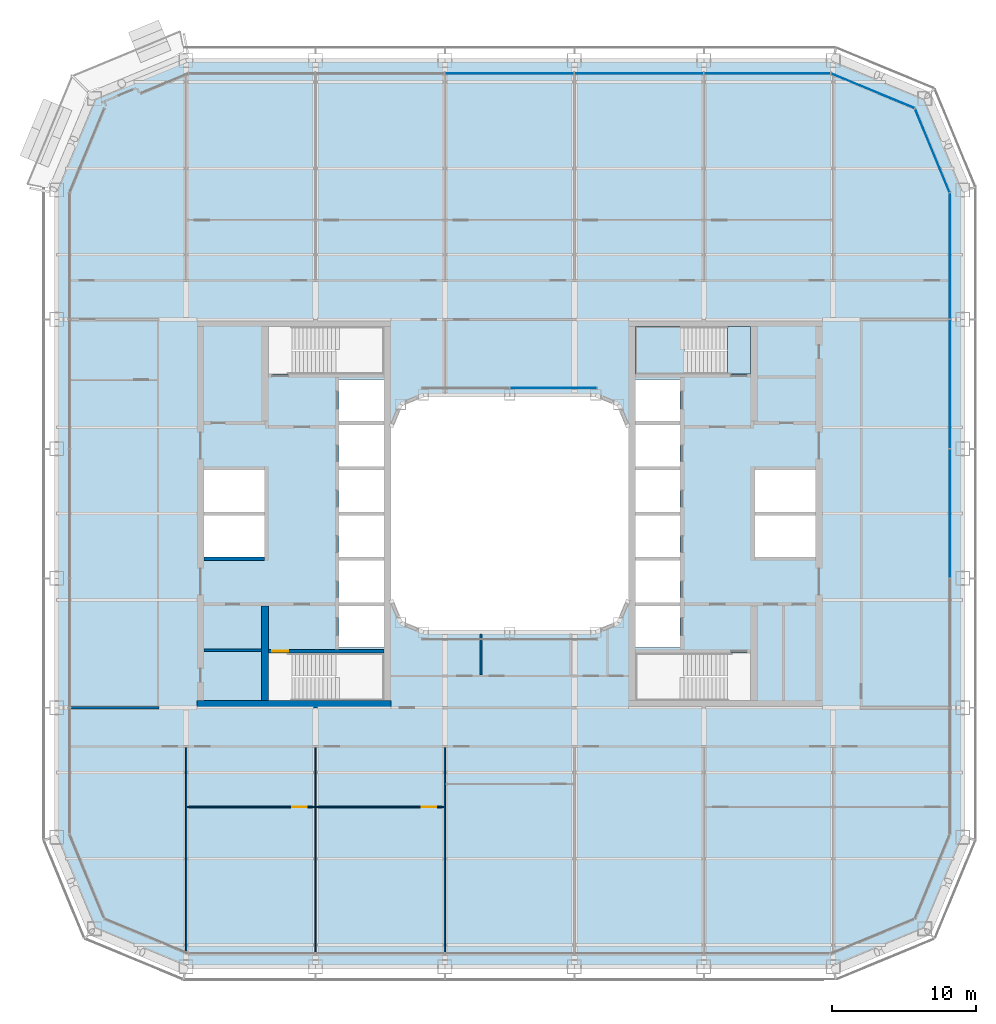
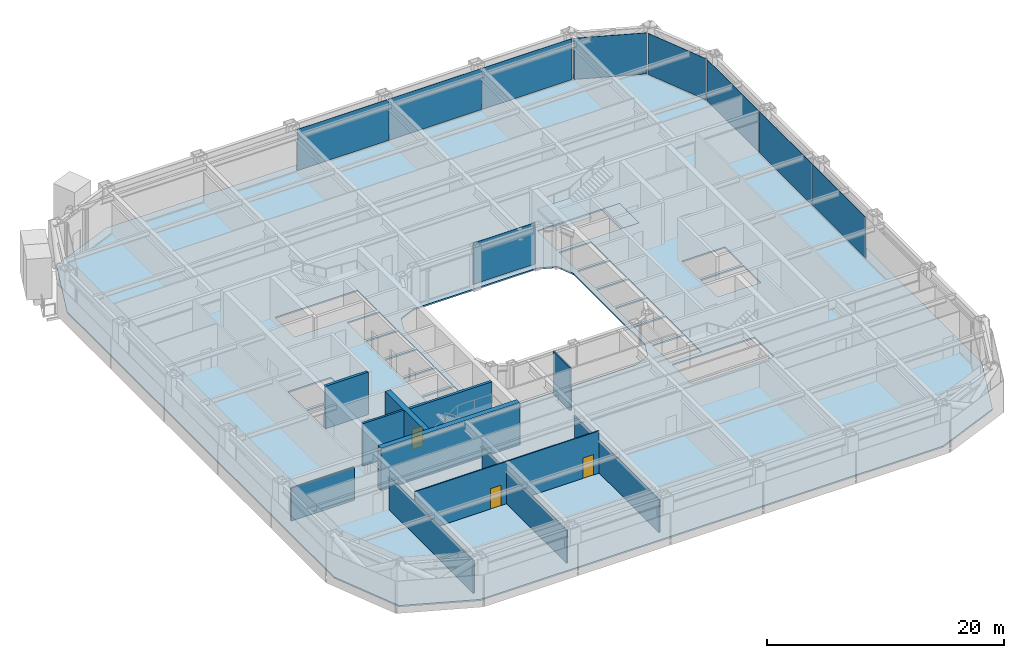
# One storey, part 12 of 29: 12 walls, 9 plates, 3 doors, 3 slabs, 3 openings, 6 elements without a shape of their own.
"""IFC4 building model written with IfcOpenShell, lengths in metres."""

import ifcopenshell
import ifcopenshell.guid

model = None  # the IFC model being written
_history = None  # IfcOwnerHistory: only IFC2X3 demands one
_inside = {}  # id of a spatial element -> (the spatial element, [elements in it])
_under = {}  # id of a project, library or spatial element -> (it, [spatial elements below it])
_declared = {}  # id of a project -> (the project, [libraries it declares])
_typed = {}  # id of a type object -> (the type object, [elements of that type])
_made_of = {}  # id of a material, layer set ... -> (it, [elements and type objects made of it])


def new_model(schema):
    """Start an empty IFC model of exactly this schema.

    Asked for "IFC4X3", IfcOpenShell would pick the latest addendum, in which some entities
    have other attributes; the version numbers below select the first issue.
    IFC2X3 requires an IfcOwnerHistory on every rooted entity: one is made here for all.
    """
    global model, _history
    if schema == "IFC4X3":
        model = ifcopenshell.file(schema_version=(4, 3, 0, 0))
    else:
        model = ifcopenshell.file(schema=schema)
    _inside.clear()
    _under.clear()
    _declared.clear()
    _typed.clear()
    _made_of.clear()
    _history = None
    if model.schema == "IFC2X3":
        org = make("IfcOrganization", Name="unknown")
        user = make(
            "IfcPersonAndOrganization",
            ThePerson=make("IfcPerson", FamilyName="unknown"),
            TheOrganization=org,
        )
        app = make(
            "IfcApplication",
            ApplicationDeveloper=org,
            Version="unknown",
            ApplicationFullName="unknown",
            ApplicationIdentifier="unknown",
        )
        _history = make(
            "IfcOwnerHistory",
            OwningUser=user,
            OwningApplication=app,
            ChangeAction="ADDED",
            CreationDate=0,
        )
    return model


def make(cls, **values):
    """One entity of the class cls with the attributes given. An attribute that is None is left unset."""
    return model.create_entity(
        cls, **{name: value for name, value in values.items() if value is not None}
    )


def rooted(cls, **values):
    """An entity with a GlobalId (a new one), such as an element, a storey or a relation."""
    return make(cls, GlobalId=ifcopenshell.guid.new(), OwnerHistory=_history, **values)


def si_unit(unit_type, name, prefix=None):
    """IfcSIUnit, for example si_unit("LENGTHUNIT", "METRE", prefix="MILLI")."""
    return make("IfcSIUnit", UnitType=unit_type, Prefix=prefix, Name=name)


def assignment(units):
    """IfcUnitAssignment: the units of a project."""
    return None if units is None else make("IfcUnitAssignment", Units=units)


def point(xyz):
    """IfcCartesianPoint."""
    return None if xyz is None else make("IfcCartesianPoint", Coordinates=xyz)


def direction(xyz):
    """IfcDirection."""
    return None if xyz is None else make("IfcDirection", DirectionRatios=xyz)


def frame(location, z_axis=None, x_axis=None):
    """IfcAxis2Placement3D, a coordinate frame: its origin and axes. An axis left out is left unset."""
    return make(
        "IfcAxis2Placement3D",
        Location=point(location),
        Axis=direction(z_axis),
        RefDirection=direction(x_axis),
    )


def frame_2d(location, x_axis=None):
    """IfcAxis2Placement2D, a coordinate frame in the plane: its origin and x axis."""
    return make(
        "IfcAxis2Placement2D", Location=point(location), RefDirection=direction(x_axis)
    )


def origin():
    """The frame at (0, 0, 0) with its axes left unset."""
    return frame((0.0, 0.0, 0.0))


def origin_2d():
    """The frame at (0, 0) in the plane with its x axis left unset."""
    return frame_2d((0.0, 0.0))


def place(relative_to, where):
    """IfcLocalPlacement: puts the frame where relative to a parent placement (None: the world)."""
    return make(
        "IfcLocalPlacement", PlacementRelTo=relative_to, RelativePlacement=where
    )


def context(
    kind, dimensions, precision=None, world=None, true_north=None, identifier=None
):
    """IfcGeometricRepresentationContext, for example the 3D "Model" context."""
    return make(
        "IfcGeometricRepresentationContext",
        ContextIdentifier=identifier,
        ContextType=kind,
        CoordinateSpaceDimension=dimensions,
        Precision=precision,
        WorldCoordinateSystem=world,
        TrueNorth=true_north,
    )


def subcontext(parent, identifier, kind, view, scale=None):
    """IfcGeometricRepresentationSubContext, for example "Body" below "Model"."""
    return make(
        "IfcGeometricRepresentationSubContext",
        ContextIdentifier=identifier,
        ContextType=kind,
        ParentContext=parent,
        TargetScale=scale,
        TargetView=view,
    )


def project(units=None, contexts=None):
    """IfcProject with its units and contexts."""
    return rooted(
        "IfcProject",
        Name="project",
        RepresentationContexts=contexts,
        UnitsInContext=assignment(units),
    )


def spatial(cls, under=None, at=None, **own):
    """A site, building, storey or space (cls), placed at a placement, below another one or the project."""
    s = rooted(cls, ObjectPlacement=at, **own)
    if under is not None:
        _under.setdefault(under.id(), (under, []))[1].append(s)
    return s


def polyline(points):
    """IfcPolyline through the points."""
    return make("IfcPolyline", Points=[point(p) for p in points])


def profile(cls, at=None, kind="AREA", **sizes):
    """A parametric profile (cls). Its sizes go by their IFC names, for example OverallWidth=200.0."""
    return make(cls, ProfileType=kind, Position=at, **sizes)


def rectangle(**sizes):
    """IfcRectangleProfileDef."""
    return profile("IfcRectangleProfileDef", **sizes)


def outline(outer, holes=None, kind="AREA"):
    """IfcArbitraryClosedProfileDef: a profile drawn as a closed curve; with holes, ...WithVoids."""
    if holes is None:
        return make("IfcArbitraryClosedProfileDef", ProfileType=kind, OuterCurve=outer)
    return make(
        "IfcArbitraryProfileDefWithVoids",
        ProfileType=kind,
        OuterCurve=outer,
        InnerCurves=holes,
    )


def extrude(swept, where, along, depth):
    """IfcExtrudedAreaSolid: the profile swept, set in the frame where, extruded along a direction by depth."""
    return make(
        "IfcExtrudedAreaSolid",
        SweptArea=swept,
        Position=where,
        ExtrudedDirection=direction(along),
        Depth=depth,
    )


def shape(context_of_items, identifier, shape_type, items):
    """IfcShapeRepresentation: the items that make up one representation, for example the "Body"."""
    return make(
        "IfcShapeRepresentation",
        ContextOfItems=context_of_items,
        RepresentationIdentifier=identifier,
        RepresentationType=shape_type,
        Items=items,
    )


def material(Name=None, Category=None):
    """IfcMaterial."""
    return make("IfcMaterial", Name=Name, Category=Category)


def layer(
    of_material, thickness, ventilated=None, Name=None, Category=None, Priority=None
):
    """IfcMaterialLayer: one layer of a wall or slab, of a material (None: an air gap)."""
    return make(
        "IfcMaterialLayer",
        Material=of_material,
        LayerThickness=thickness,
        IsVentilated=ventilated,
        Name=Name,
        Category=Category,
        Priority=Priority,
    )


def layer_set(layers, Name=None):
    """IfcMaterialLayerSet."""
    return make("IfcMaterialLayerSet", MaterialLayers=layers, LayerSetName=Name)


def made_of(thing, what):
    """Note that an element or type object is made of a material, layer set ...; save() writes the relation."""
    if what is not None:
        _made_of.setdefault(what.id(), (what, []))[1].append(thing)
    return thing


def type_object(cls, material=None, **own):
    """A type object (cls), such as IfcWallType, which elements share."""
    return made_of(rooted(cls, **own), material)


def element(
    cls,
    number,
    at=None,
    inside=None,
    cuts=None,
    type_object=None,
    material=None,
    context=None,
    identifier="Body",
    shape_type=None,
    held_by="IfcProductDefinitionShape",
    body=None,
    shapes=None,
    **own,
):
    """One element of the class cls, such as IfcWall. Its Tag is "e" and its number.

    at: its placement. inside: the storey or other place that contains it. cuts: it is an
    opening in that element (IfcRelVoidsElement). A single representation is given by context,
    identifier, shape_type and body (its items); several are given by shapes. held_by: the class
    of the entity that holds the representations. save() writes the other relations.
    """
    e = rooted(cls, Tag="e%d" % number, ObjectPlacement=at, **own)
    if body is not None:
        shapes = [shape(context, identifier, shape_type, body)]
    if shapes is not None:
        e.Representation = make(held_by, Representations=shapes)
    if inside is not None:
        _inside.setdefault(inside.id(), (inside, []))[1].append(e)
    if cuts is not None:
        rooted(
            "IfcRelVoidsElement", RelatingBuildingElement=cuts, RelatedOpeningElement=e
        )
    if type_object is not None:
        _typed.setdefault(type_object.id(), (type_object, []))[1].append(e)
    return made_of(e, material)


def fill(opening, filler):
    """IfcRelFillsElement: the door or window that sits in an opening."""
    return rooted(
        "IfcRelFillsElement",
        RelatingOpeningElement=opening,
        RelatedBuildingElement=filler,
    )


def aggregate(whole, parts):
    """IfcRelAggregates: a whole, such as a stair, and the parts it consists of."""
    return rooted("IfcRelAggregates", RelatingObject=whole, RelatedObjects=parts)


def save(model, path):
    """Write the relations noted so far, then the file.

    IfcRelAggregates (storeys below a building ...), IfcRelContainedInSpatialStructure (elements
    in a storey), IfcRelDefinesByType, IfcRelAssociatesMaterial and IfcRelDeclares: one each for
    every whole, place, type object, material and project.
    """
    for whole, parts in _under.values():
        aggregate(whole, parts)
    for where, things in _inside.values():
        rooted(
            "IfcRelContainedInSpatialStructure",
            RelatedElements=things,
            RelatingStructure=where,
        )
    for kind, things in _typed.values():
        rooted("IfcRelDefinesByType", RelatedObjects=things, RelatingType=kind)
    for what, things in _made_of.values():
        rooted("IfcRelAssociatesMaterial", RelatedObjects=things, RelatingMaterial=what)
    for by, libraries in _declared.values():
        rooted("IfcRelDeclares", RelatingContext=by, RelatedDefinitions=libraries)
    model.write(path)


model = new_model("IFC4")

# Units and contexts
model_context = context("Model", 3, precision=1e-05, world=origin(), true_north=direction((0.0, 1.0)))
body_context = subcontext(model_context, "Body", "Model", "MODEL_VIEW")
ifc_project = project(units=[si_unit("LENGTHUNIT", "METRE"), si_unit("AREAUNIT", "SQUARE_METRE"), si_unit("VOLUMEUNIT", "CUBIC_METRE"), si_unit("PLANEANGLEUNIT", "RADIAN"), si_unit("MASSUNIT", "GRAM", prefix="KILO")], contexts=[model_context])

# Site, building, storey
site_placement = place(None, origin())
site = spatial("IfcSite", under=ifc_project, at=site_placement, CompositionType="ELEMENT")
building_placement = place(site_placement, origin())
building = spatial("IfcBuilding", under=site, at=building_placement, Name="Siwar Civic Tower", CompositionType="ELEMENT")
storey_placement = place(building_placement, frame((0.0, 0.0, 67.199951171875)))
storey = spatial("IfcBuildingStorey", under=building, at=storey_placement, Name="L14", CompositionType="ELEMENT", Elevation=67.199951171875)

# Stair, slabs
ifc_material_1 = material(Name="Concrete C40/50", Category="concrete")
stair_type = type_object("IfcStairType", Name="CORE-STAIR", PredefinedType="TWO_STRAIGHT_RUN_STAIR", material=ifc_material_1)
stair_placement = place(storey_placement, origin())
stair = element("IfcStair", 1, at=stair_placement, inside=storey, type_object=stair_type, Name="Exit stair ST3", PredefinedType="TWO_STRAIGHT_RUN_STAIR")
ifc_material_2 = material(Name="Concrete C40/50", Category="concrete")
ifc_layer_1 = layer(ifc_material_2, 0.300048828125)
ifc_layer_set_1 = layer_set([ifc_layer_1], Name="Concrete C40/50")
slab_type_1 = type_object("IfcSlabType", Name="CORE-STAIR-LANDING", PredefinedType="LANDING", material=ifc_layer_set_1)
slab_1_placement = place(storey_placement, frame((0.0, 0.0, -0.300048828125)))
slab_1 = element("IfcSlab", 2, at=slab_1_placement, type_object=slab_type_1, Name="ST3 landing 1", PredefinedType="LANDING", context=body_context, shape_type="SweptSolid", body=[
    extrude(outline(polyline([(15.14990234375, 9.699951171875), (16.75, 9.699951171875), (16.75, 13.0), (15.14990234375, 13.0), (15.14990234375, 9.699951171875)])), origin(), (0.0, 0.0, 1.0), 0.300048828125),
])
slab_2_placement = place(storey_placement, frame((0.0, 0.0, 1.949951171875)))
slab_2 = element("IfcSlab", 3, at=slab_2_placement, type_object=slab_type_1, Name="ST3 landing 2", PredefinedType="LANDING", context=body_context, shape_type="SweptSolid", body=[
    extrude(outline(polyline([(8.75, 9.699951171875), (12.139892578125, 9.699951171875), (12.139892578125, 13.0), (8.75, 13.0), (8.75, 9.699951171875)])), origin(), (0.0, 0.0, 1.0), 0.300048828125),
])
aggregate(stair, [slab_1, slab_2])

# Curtain wall, plates
ifc_material_3 = material(Name="Aluminium and glass", Category="aluminium")
ifc_layer_2 = layer(ifc_material_3, 0.219970703125)
ifc_layer_set_2 = layer_set([ifc_layer_2], Name="Aluminium and glass")
curtain_wall_type_1 = type_object("IfcCurtainWallType", Name="ENV-CW-A", PredefinedType="NOTDEFINED", material=ifc_layer_set_2)
curtain_wall_1_placement = place(storey_placement, origin())
curtain_wall_1 = element("IfcCurtainWall", 4, at=curtain_wall_1_placement, inside=storey, type_object=curtain_wall_type_1, Name="Curtain wall A E", PredefinedType="NOTDEFINED")
ifc_material_4 = material(Name="Glass clear laminated", Category="glass")
ifc_layer_3 = layer(ifc_material_4, 0.035888671875)
ifc_layer_set_3 = layer_set([ifc_layer_3], Name="Glass clear laminated")
plate_type_1 = type_object("IfcPlateType", Name="ENV-PANEL-A", PredefinedType="CURTAIN_PANEL", material=ifc_layer_set_3)
plate_1_placement = place(storey_placement, frame((30.60009765625, 0.0, 0.1201171875), z_axis=(0.0, 0.0, 1.0), x_axis=(0.0, 1.0, 0.0)))
plate_1 = element("IfcPlate", 5, at=plate_1_placement, type_object=plate_type_1, Name="Curtain panel A E 3", PredefinedType="CURTAIN_PANEL", context=body_context, shape_type="SweptSolid", body=[
    extrude(rectangle(XDim=8.929931640625, YDim=0.035888671875, at=origin_2d()), origin(), (0.0, 0.0, 1.0), 4.22998046875),
])
plate_2_placement = place(storey_placement, frame((30.60009765625, 9.0, 0.1201171875), z_axis=(0.0, 0.0, 1.0), x_axis=(0.0, 1.0, 0.0)))
plate_2 = element("IfcPlate", 6, at=plate_2_placement, type_object=plate_type_1, Name="Curtain panel A E 4", PredefinedType="CURTAIN_PANEL", context=body_context, shape_type="SweptSolid", body=[
    extrude(rectangle(XDim=8.929931640625, YDim=0.035888671875, at=origin_2d()), origin(), (0.0, 0.0, 1.0), 4.22998046875),
])
plate_3_placement = place(storey_placement, frame((30.60009765625, 17.86669921875, 0.1201171875), z_axis=(0.0, 0.0, 1.0), x_axis=(0.0, 1.0, 0.0)))
plate_3 = element("IfcPlate", 7, at=plate_3_placement, type_object=plate_type_1, Name="Curtain panel A E 5", PredefinedType="CURTAIN_PANEL", context=body_context, shape_type="SweptSolid", body=[
    extrude(rectangle(XDim=8.663330078125, YDim=0.035888671875, at=origin_2d()), origin(), (0.0, 0.0, 1.0), 4.22998046875),
])
aggregate(curtain_wall_1, [plate_1, plate_2, plate_3])

curtain_wall_2_placement = place(storey_placement, origin())
curtain_wall_2 = element("IfcCurtainWall", 8, at=curtain_wall_2_placement, inside=storey, type_object=curtain_wall_type_1, Name="Curtain wall A N", PredefinedType="NOTDEFINED")
plate_4_placement = place(storey_placement, frame((17.910400390625, 30.60009765625, 0.1201171875), z_axis=(0.0, 0.0, 1.0), x_axis=(-1.0, 0.0, 0.0)))
plate_4 = element("IfcPlate", 9, at=plate_4_placement, type_object=plate_type_1, Name="Curtain panel A N 1", PredefinedType="CURTAIN_PANEL", context=body_context, shape_type="SweptSolid", body=[
    extrude(rectangle(XDim=8.7509765625, YDim=0.035888671875, at=origin_2d()), origin(), (0.0, 0.0, 1.0), 4.22998046875),
])
plate_5_placement = place(storey_placement, frame((9.0, 30.60009765625, 0.1201171875), z_axis=(0.0, 0.0, 1.0), x_axis=(-1.0, 0.0, 0.0)))
plate_5 = element("IfcPlate", 10, at=plate_5_placement, type_object=plate_type_1, Name="Curtain panel A N 2", PredefinedType="CURTAIN_PANEL", context=body_context, shape_type="SweptSolid", body=[
    extrude(rectangle(XDim=8.929931640625, YDim=0.035888671875, at=origin_2d()), origin(), (0.0, 0.0, 1.0), 4.22998046875),
])
plate_6_placement = place(storey_placement, frame((0.0, 30.60009765625, 0.1201171875), z_axis=(0.0, 0.0, 1.0), x_axis=(-1.0, 0.0, 0.0)))
plate_6 = element("IfcPlate", 11, at=plate_6_placement, type_object=plate_type_1, Name="Curtain panel A N 3", PredefinedType="CURTAIN_PANEL", context=body_context, shape_type="SweptSolid", body=[
    extrude(rectangle(XDim=8.929931640625, YDim=0.035888671875, at=origin_2d()), origin(), (0.0, 0.0, 1.0), 4.22998046875),
])
aggregate(curtain_wall_2, [plate_4, plate_5, plate_6])

# Curtain wall, plate
ifc_material_5 = material(Name="Aluminium clad insulated panel", Category="aluminium")
ifc_layer_4 = layer(ifc_material_5, 0.219970703125)
ifc_layer_set_4 = layer_set([ifc_layer_4], Name="Aluminium clad insulated panel")
curtain_wall_type_2 = type_object("IfcCurtainWallType", Name="ENV-CW-AX", PredefinedType="NOTDEFINED", material=ifc_layer_set_4)
curtain_wall_3_placement = place(storey_placement, origin())
curtain_wall_3 = element("IfcCurtainWall", 12, at=curtain_wall_3_placement, inside=storey, type_object=curtain_wall_type_2, Name="Curtain wall A NE1", PredefinedType="NOTDEFINED")
ifc_material_6 = material(Name="Aluminium clad insulated panel", Category="aluminium")
ifc_layer_5 = layer(ifc_material_6, 0.035888671875)
ifc_layer_set_5 = layer_set([ifc_layer_5], Name="Aluminium clad insulated panel")
plate_type_2 = type_object("IfcPlateType", Name="ENV-PANEL-AX", PredefinedType="CURTAIN_PANEL", material=ifc_layer_set_5)
plate_7_placement = place(storey_placement, frame((29.404296875, 25.20751953125, 0.1201171875), z_axis=(0.0, 0.0, 1.0), x_axis=(-0.382683432365, 0.923879532511, 0.0)))
plate_7 = element("IfcPlate", 13, at=plate_7_placement, type_object=plate_type_2, Name="Curtain panel A NE1 1", PredefinedType="CURTAIN_PANEL", context=body_context, shape_type="SweptSolid", body=[
    extrude(rectangle(XDim=6.178955078125, YDim=0.035888671875, at=origin_2d()), origin(), (0.0, 0.0, 1.0), 4.22998046875),
])
aggregate(curtain_wall_3, [plate_7])

curtain_wall_4_placement = place(storey_placement, origin())
curtain_wall_4 = element("IfcCurtainWall", 14, at=curtain_wall_4_placement, inside=storey, type_object=curtain_wall_type_2, Name="Curtain wall A NE2", PredefinedType="NOTDEFINED")
plate_8_placement = place(storey_placement, frame((25.28857421875, 29.370849609375, 0.1201171875), z_axis=(0.0, 0.0, 1.0), x_axis=(-0.923879532511, 0.382683432365, 0.0)))
plate_8 = element("IfcPlate", 15, at=plate_8_placement, type_object=plate_type_2, Name="Curtain panel A NE2 1", PredefinedType="CURTAIN_PANEL", context=body_context, shape_type="SweptSolid", body=[
    extrude(rectangle(XDim=6.178955078125, YDim=0.035888671875, at=origin_2d()), origin(), (0.0, 0.0, 1.0), 4.22998046875),
])
aggregate(curtain_wall_4, [plate_8])

ifc_material_7 = material(Name="Aluminium and glass", Category="aluminium")
ifc_layer_6 = layer(ifc_material_7, 0.179931640625)
ifc_layer_set_6 = layer_set([ifc_layer_6], Name="Aluminium and glass")
curtain_wall_type_3 = type_object("IfcCurtainWallType", Name="ENV-CW-W", PredefinedType="NOTDEFINED", material=ifc_layer_set_6)
curtain_wall_5_placement = place(storey_placement, origin())
curtain_wall_5 = element("IfcCurtainWall", 16, at=curtain_wall_5_placement, inside=storey, type_object=curtain_wall_type_3, Name="Curtain wall W WN", PredefinedType="NOTDEFINED")
ifc_material_8 = material(Name="Glass clear laminated", Category="glass")
ifc_layer_7 = layer(ifc_material_8, 0.031982421875)
ifc_layer_set_7 = layer_set([ifc_layer_7], Name="Glass clear laminated")
plate_type_3 = type_object("IfcPlateType", Name="ENV-PANEL-W", PredefinedType="CURTAIN_PANEL", material=ifc_layer_set_7)
plate_9_placement = place(storey_placement, frame((3.04833984375, 8.735107421875, 0.10009765625), z_axis=(0.0, 0.0, 1.0), x_axis=(-1.0, 0.0, 0.0)))
plate_9 = element("IfcPlate", 17, at=plate_9_placement, type_object=plate_type_3, Name="Curtain panel W WN 1", PredefinedType="CURTAIN_PANEL", context=body_context, shape_type="SweptSolid", body=[
    extrude(rectangle(XDim=6.036376953125, YDim=0.031982421875, at=origin_2d()), origin(), (0.0, 0.0, 1.0), 4.25),
])
aggregate(curtain_wall_5, [plate_9])

# Slab
ifc_material_9 = material(Name="Concrete C40/50", Category="concrete")
ifc_layer_8 = layer(ifc_material_9, 0.14990234375)
ifc_layer_set_8 = layer_set([ifc_layer_8], Name="Concrete C40/50")
slab_type_2 = type_object("IfcSlabType", Name="STR-FLOOR-DECK-150", PredefinedType="FLOOR", material=ifc_layer_set_8)
slab_3_placement = place(storey_placement, frame((0.0, 0.0, -0.14990234375)))
element("IfcSlab", 18, at=slab_3_placement, inside=storey, type_object=slab_type_2, Name="L14/slab/1", PredefinedType="FLOOR", context=body_context, shape_type="SweptSolid", body=[
    extrude(outline(polyline([(-22.5, -31.5), (22.5, -31.5), (28.864013671875, -28.864013671875), (31.5, -22.5), (31.5, 22.5), (28.864013671875, 28.864013671875), (22.5, 31.5), (-22.5, 31.5), (-28.864013671875, 28.864013671875), (-31.5, 22.5), (-31.5, -22.5), (-28.864013671875, -28.864013671875), (-22.5, -31.5)]), holes=[polyline([(21.25, 3.02490234375), (21.25, 0.125), (17.050048828125, 0.125), (17.050048828125, 3.02490234375), (21.25, 3.02490234375)]), polyline([(17.050048828125, -0.125), (21.25, -0.125), (21.25, -3.02490234375), (17.050048828125, -3.02490234375), (17.050048828125, -0.125)]), polyline([(16.75, 13.0), (16.75, 9.699951171875), (8.75, 9.699951171875), (8.75, 13.0), (16.75, 13.0)]), polyline([(8.75, -9.699951171875), (16.75, -9.699951171875), (16.75, -13.0), (8.75, -13.0), (8.75, -9.699951171875)]), polyline([(11.85009765625, 9.324951171875), (11.85009765625, 6.425048828125), (8.75, 6.425048828125), (8.75, 9.324951171875), (11.85009765625, 9.324951171875)]), polyline([(11.85009765625, 3.02490234375), (11.85009765625, 0.125), (8.75, 0.125), (8.75, 3.02490234375), (11.85009765625, 3.02490234375)]), polyline([(11.85009765625, -0.125), (11.85009765625, -3.02490234375), (8.75, -3.02490234375), (8.75, -0.125), (11.85009765625, -0.125)]), polyline([(11.85009765625, -3.27490234375), (11.85009765625, -6.175048828125), (8.75, -6.175048828125), (8.75, -3.27490234375), (11.85009765625, -3.27490234375)]), polyline([(8.75, 6.175048828125), (11.85009765625, 6.175048828125), (11.85009765625, 3.27490234375), (8.75, 3.27490234375), (8.75, 6.175048828125)]), polyline([(8.75, -6.425048828125), (11.85009765625, -6.425048828125), (11.85009765625, -9.324951171875), (8.75, -9.324951171875), (8.75, -6.425048828125)]), polyline([(-6.0, 8.25), (6.0, 8.25), (7.591064453125, 7.591064453125), (8.25, 6.0), (8.25, -6.0), (7.591064453125, -7.591064453125), (6.0, -8.25), (-6.0, -8.25), (-7.591064453125, -7.591064453125), (-8.25, -6.0), (-8.25, 6.0), (-7.591064453125, 7.591064453125), (-6.0, 8.25)]), polyline([(-8.75, 9.699951171875), (-16.75, 9.699951171875), (-16.75, 13.0), (-8.75, 13.0), (-8.75, 9.699951171875)]), polyline([(-8.75, 0.125), (-11.85009765625, 0.125), (-11.85009765625, 3.02490234375), (-8.75, 3.02490234375), (-8.75, 0.125)]), polyline([(-8.75, -6.175048828125), (-11.85009765625, -6.175048828125), (-11.85009765625, -3.27490234375), (-8.75, -3.27490234375), (-8.75, -6.175048828125)]), polyline([(-8.75, -9.324951171875), (-11.85009765625, -9.324951171875), (-11.85009765625, -6.425048828125), (-8.75, -6.425048828125), (-8.75, -9.324951171875)]), polyline([(-8.75, -13.0), (-16.75, -13.0), (-16.75, -9.699951171875), (-8.75, -9.699951171875), (-8.75, -13.0)]), polyline([(-11.85009765625, 6.425048828125), (-11.85009765625, 9.324951171875), (-8.75, 9.324951171875), (-8.75, 6.425048828125), (-11.85009765625, 6.425048828125)]), polyline([(-11.85009765625, 3.27490234375), (-11.85009765625, 6.175048828125), (-8.75, 6.175048828125), (-8.75, 3.27490234375), (-11.85009765625, 3.27490234375)]), polyline([(-11.85009765625, -3.02490234375), (-11.85009765625, -0.125), (-8.75, -0.125), (-8.75, -3.02490234375), (-11.85009765625, -3.02490234375)]), polyline([(-21.25, -3.02490234375), (-21.25, -0.125), (-17.050048828125, -0.125), (-17.050048828125, -3.02490234375), (-21.25, -3.02490234375)]), polyline([(-17.050048828125, 0.125), (-21.25, 0.125), (-21.25, 3.02490234375), (-17.050048828125, 3.02490234375), (-17.050048828125, 0.125)])]), origin(), (0.0, 0.0, 1.0), 0.14990234375),
])

# Walls
ifc_material_10 = material(Name="Gypsum board on steel studs", Category="steel")
ifc_layer_9 = layer(ifc_material_10, 0.199951171875)
ifc_layer_set_9 = layer_set([ifc_layer_9], Name="Gypsum board on steel studs")
wall_type_1 = type_object("IfcWallType", Name="CORE-PARTITION-200", PredefinedType="PARTITIONING", material=ifc_layer_set_9)
wall_1_placement = place(storey_placement, frame((-17.25, -9.5, 0.0), z_axis=(0.0, 0.0, 1.0), x_axis=(-1.0, 0.0, 0.0)))
element("IfcWall", 19, at=wall_1_placement, inside=storey, type_object=wall_type_1, Name="Core partition W", PredefinedType="PARTITIONING", context=body_context, shape_type="SweptSolid", body=[
    extrude(rectangle(XDim=4.0, YDim=0.199951171875, at=frame_2d((2.0, 0.0))), origin(), (0.0, 0.0, 1.0), 4.35009765625),
])
ifc_material_11 = material(Name="Concrete C60/75", Category="concrete")
ifc_layer_10 = layer(ifc_material_11, 0.25)
ifc_layer_set_10 = layer_set([ifc_layer_10], Name="Concrete C60/75")
wall_type_2 = type_object("IfcWallType", Name="CORE-WALL-RC250", PredefinedType="SHEAR", material=ifc_layer_set_10)
wall_2_placement = place(storey_placement, frame((-17.050048828125, -3.14990234375, 0.0), z_axis=(0.0, 0.0, 1.0), x_axis=(-1.0, 0.0, 0.0)))
element("IfcWall", 20, at=wall_2_placement, inside=storey, type_object=wall_type_2, Name="Core wall W", PredefinedType="SHEAR", context=body_context, shape_type="SweptSolid", body=[
    extrude(rectangle(XDim=4.199951171875, YDim=0.25, at=frame_2d((2.10009765625, 0.0))), origin(), (0.0, 0.0, 1.0), 4.35009765625),
])

# Wall, opening, door
wall_3_placement = place(storey_placement, frame((-8.75, -9.574951171875, 0.0), z_axis=(0.0, 0.0, 1.0), x_axis=(-1.0, 0.0, 0.0)))
wall_3 = element("IfcWall", 21, at=wall_3_placement, inside=storey, type_object=wall_type_2, Name="Core wall W", PredefinedType="SHEAR", context=body_context, shape_type="SweptSolid", body=[
    extrude(rectangle(XDim=8.0, YDim=0.25, at=frame_2d((4.0, 0.0))), origin(), (0.0, 0.0, 1.0), 4.35009765625),
])
opening_1_placement = place(wall_3_placement, frame((6.64990234375, 0.0, 0.0)))
opening_1 = element("IfcOpeningElement", 22, at=opening_1_placement, cuts=wall_3, Name="Opening L14-CW04", PredefinedType="OPENING", context=body_context, shape_type="SweptSolid", body=[
    extrude(rectangle(XDim=1.10009765625, YDim=2.10009765625, at=frame_2d((0.550048828125, 1.050048828125))), frame((0.0, 0.135009765625, 0.0), z_axis=(0.0, -1.0, 0.0), x_axis=(1.0, 0.0, 0.0)), (0.0, 0.0, 1.0), 0.27001953125),
])
ifc_material_12 = material(Name="Steel door leaf", Category="steel")
door_type_1 = type_object("IfcDoorType", Name="CORE-DOOR-FD60S", OperationType="SINGLE_SWING_LEFT", PredefinedType="DOOR", material=ifc_material_12)
door_1_placement = place(opening_1_placement, origin())
door_1 = element("IfcDoor", 23, at=door_1_placement, inside=storey, type_object=door_type_1, Name="Stair door L14-CW04", OperationType="SINGLE_SWING_LEFT", OverallHeight=2.10009765625, OverallWidth=1.10009765625, PredefinedType="DOOR", context=body_context, shape_type="SweptSolid", body=[
    extrude(rectangle(XDim=1.10009765625, YDim=2.10009765625, at=frame_2d((0.550048828125, 1.050048828125))), frame((0.0, 0.02490234375, 0.0), z_axis=(0.0, -1.0, 0.0), x_axis=(1.0, 0.0, 0.0)), (0.0, 0.0, 1.0), 0.050048828125),
])
fill(opening_1, door_1)

# Walls
ifc_material_13 = material(Name="Concrete C60/75", Category="concrete")
ifc_layer_11 = layer(ifc_material_13, 0.5)
ifc_layer_set_11 = layer_set([ifc_layer_11], Name="Concrete C60/75")
wall_type_3 = type_object("IfcWallType", Name="CORE-WALL-RC500", PredefinedType="SHEAR", material=ifc_layer_set_11)
wall_4_placement = place(storey_placement, frame((-17.0, -13.0, 0.0), z_axis=(0.0, 0.0, 1.0), x_axis=(0.0, 1.0, 0.0)))
element("IfcWall", 24, at=wall_4_placement, inside=storey, type_object=wall_type_3, Name="Core wall W", PredefinedType="SHEAR", context=body_context, shape_type="SweptSolid", body=[
    extrude(rectangle(XDim=6.574951171875, YDim=0.5, at=frame_2d((3.28759765625, 0.0))), origin(), (0.0, 0.0, 1.0), 4.35009765625),
])
wall_5_placement = place(storey_placement, frame((-8.25, -13.25, 0.0), z_axis=(0.0, 0.0, 1.0), x_axis=(-1.0, 0.0, 0.0)))
element("IfcWall", 25, at=wall_5_placement, inside=storey, type_object=wall_type_3, Name="Core wall W", PredefinedType="SHEAR", context=body_context, shape_type="SweptSolid", body=[
    extrude(rectangle(XDim=13.5, YDim=0.5, at=frame_2d((6.75, 0.0))), origin(), (0.0, 0.0, 1.0), 4.35009765625),
])
ifc_material_14 = material(Name="Gypsum board on steel studs", Category="steel")
ifc_layer_12 = layer(ifc_material_14, 0.14990234375)
ifc_layer_set_12 = layer_set([ifc_layer_12], Name="Gypsum board on steel studs")
wall_type_4 = type_object("IfcWallType", Name="CORRIDOR PARTITION 150 EI 30", PredefinedType="PARTITIONING", material=ifc_layer_set_12)
wall_6_placement = place(storey_placement, frame((-30.510009765625, -13.5, 0.0), z_axis=(0.0, 0.0, 1.0), x_axis=(1.0, 0.0, 0.0)))
element("IfcWall", 26, at=wall_6_placement, inside=storey, type_object=wall_type_4, Name="L14/wall/P05", PredefinedType="PARTITIONING", context=body_context, shape_type="SweptSolid", body=[
    extrude(rectangle(XDim=6.135009765625, YDim=0.14990234375, at=frame_2d((3.0673828125, 0.0))), origin(), (0.0, 0.0, 1.0), 3.35009765625),
])
wall_7_placement = place(storey_placement, frame((-2.0, -11.22509765625, 0.0), z_axis=(0.0, 0.0, 1.0), x_axis=(0.0, 1.0, 0.0)))
element("IfcWall", 27, at=wall_7_placement, inside=storey, type_object=wall_type_4, Name="L14/wall/P27", PredefinedType="PARTITIONING", context=body_context, shape_type="SweptSolid", body=[
    extrude(rectangle(XDim=2.85498046875, YDim=0.14990234375, at=frame_2d((1.427490234375, 0.0))), origin(), (0.0, 0.0, 1.0), 4.35009765625),
])

# Wall, openings, doors
ifc_material_15 = material(Name="Gypsum board on steel studs", Category="steel")
ifc_layer_13 = layer(ifc_material_15, 0.10009765625)
ifc_layer_set_13 = layer_set([ifc_layer_13], Name="Gypsum board on steel studs")
wall_type_5 = type_object("IfcWallType", Name="PARTITION 100 GYPSUM", PredefinedType="PARTITIONING", material=ifc_layer_set_13)
wall_8_placement = place(storey_placement, frame((-22.449951171875, -20.39990234375, 0.0), z_axis=(0.0, 0.0, 1.0), x_axis=(1.0, 0.0, 0.0)))
wall_8 = element("IfcWall", 28, at=wall_8_placement, inside=storey, type_object=wall_type_5, Name="L14/wall/P01", PredefinedType="PARTITIONING", context=body_context, shape_type="SweptSolid", body=[
    extrude(rectangle(XDim=17.89990234375, YDim=0.10009765625, at=frame_2d((8.949951171875, 0.0))), origin(), (0.0, 0.0, 1.0), 4.35009765625),
])
opening_2_placement = place(wall_8_placement, frame((7.35009765625, 0.0, 0.0)))
opening_2 = element("IfcOpeningElement", 29, at=opening_2_placement, cuts=wall_8, Name="Opening D2", PredefinedType="OPENING", context=body_context, shape_type="SweptSolid", body=[
    extrude(rectangle(XDim=1.0, YDim=2.10009765625, at=frame_2d((0.5, 1.050048828125))), frame((0.0, 0.06005859375, 0.0), z_axis=(0.0, -1.0, 0.0), x_axis=(1.0, 0.0, 0.0)), (0.0, 0.0, 1.0), 0.1201171875),
])
opening_3_placement = place(wall_8_placement, frame((16.35009765625, 0.0, 0.0)))
opening_3 = element("IfcOpeningElement", 30, at=opening_3_placement, cuts=wall_8, Name="Opening D2", PredefinedType="OPENING", context=body_context, shape_type="SweptSolid", body=[
    extrude(rectangle(XDim=1.0, YDim=2.10009765625, at=frame_2d((0.5, 1.050048828125))), frame((0.0, 0.06005859375, 0.0), z_axis=(0.0, -1.0, 0.0), x_axis=(1.0, 0.0, 0.0)), (0.0, 0.0, 1.0), 0.1201171875),
])
ifc_material_16 = material(Name="Timber, painted", Category="wood")
door_type_2 = type_object("IfcDoorType", Name="DOOR 1000 X 2100", OperationType="SINGLE_SWING_LEFT", PredefinedType="DOOR", material=ifc_material_16)
door_2_placement = place(opening_2_placement, origin())
door_2 = element("IfcDoor", 31, at=door_2_placement, inside=storey, type_object=door_type_2, Name="L14-D12", OperationType="SINGLE_SWING_RIGHT", OverallHeight=2.10009765625, OverallWidth=1.0, PredefinedType="DOOR", context=body_context, shape_type="SweptSolid", body=[
    extrude(rectangle(XDim=1.0, YDim=2.10009765625, at=frame_2d((0.5, 1.050048828125))), frame((0.0, 0.02490234375, 0.0), z_axis=(0.0, -1.0, 0.0), x_axis=(1.0, 0.0, 0.0)), (0.0, 0.0, 1.0), 0.050048828125),
])
fill(opening_2, door_2)
door_3_placement = place(opening_3_placement, origin())
door_3 = element("IfcDoor", 32, at=door_3_placement, inside=storey, type_object=door_type_2, Name="L14-D14", OperationType="SINGLE_SWING_RIGHT", OverallHeight=2.10009765625, OverallWidth=1.0, PredefinedType="DOOR", context=body_context, shape_type="SweptSolid", body=[
    extrude(rectangle(XDim=1.0, YDim=2.10009765625, at=frame_2d((0.5, 1.050048828125))), frame((0.0, 0.02490234375, 0.0), z_axis=(0.0, -1.0, 0.0), x_axis=(1.0, 0.0, 0.0)), (0.0, 0.0, 1.0), 0.050048828125),
])
fill(opening_3, door_3)

# Walls
wall_9_placement = place(storey_placement, frame((-22.5, -30.427978515625, 0.0), z_axis=(0.0, 0.0, 1.0), x_axis=(0.0, 1.0, 0.0)))
element("IfcWall", 33, at=wall_9_placement, inside=storey, type_object=wall_type_5, Name="L14/wall/P17", PredefinedType="PARTITIONING", context=body_context, shape_type="SweptSolid", body=[
    extrude(rectangle(XDim=14.153076171875, YDim=0.10009765625, at=frame_2d((7.07666015625, 0.0))), origin(), (0.0, 0.0, 1.0), 3.35009765625),
])
wall_10_placement = place(storey_placement, frame((-13.5, -30.510009765625, 0.0), z_axis=(0.0, 0.0, 1.0), x_axis=(0.0, 1.0, 0.0)))
element("IfcWall", 34, at=wall_10_placement, inside=storey, type_object=wall_type_5, Name="L14/wall/P19", PredefinedType="PARTITIONING", context=body_context, shape_type="SweptSolid", body=[
    extrude(rectangle(XDim=10.06005859375, YDim=0.10009765625, at=frame_2d((5.030029296875, 0.0))), origin(), (0.0, 0.0, 1.0), 3.35009765625),
])
wall_11_placement = place(storey_placement, frame((-13.5, -20.35009765625, 0.0), z_axis=(0.0, 0.0, 1.0), x_axis=(0.0, 1.0, 0.0)))
element("IfcWall", 35, at=wall_11_placement, inside=storey, type_object=wall_type_5, Name="L14/wall/P20", PredefinedType="PARTITIONING", context=body_context, shape_type="SweptSolid", body=[
    extrude(rectangle(XDim=4.0751953125, YDim=0.10009765625, at=frame_2d((2.03759765625, 0.0))), origin(), (0.0, 0.0, 1.0), 3.35009765625),
])
wall_12_placement = place(storey_placement, frame((-4.5, -30.510009765625, 0.0), z_axis=(0.0, 0.0, 1.0), x_axis=(0.0, 1.0, 0.0)))
element("IfcWall", 36, at=wall_12_placement, inside=storey, type_object=wall_type_5, Name="L14/wall/P23", PredefinedType="PARTITIONING", context=body_context, shape_type="SweptSolid", body=[
    extrude(rectangle(XDim=14.235107421875, YDim=0.10009765625, at=frame_2d((7.11767578125, 0.0))), origin(), (0.0, 0.0, 1.0), 3.35009765625),
])

save(model, "model.ifc")
